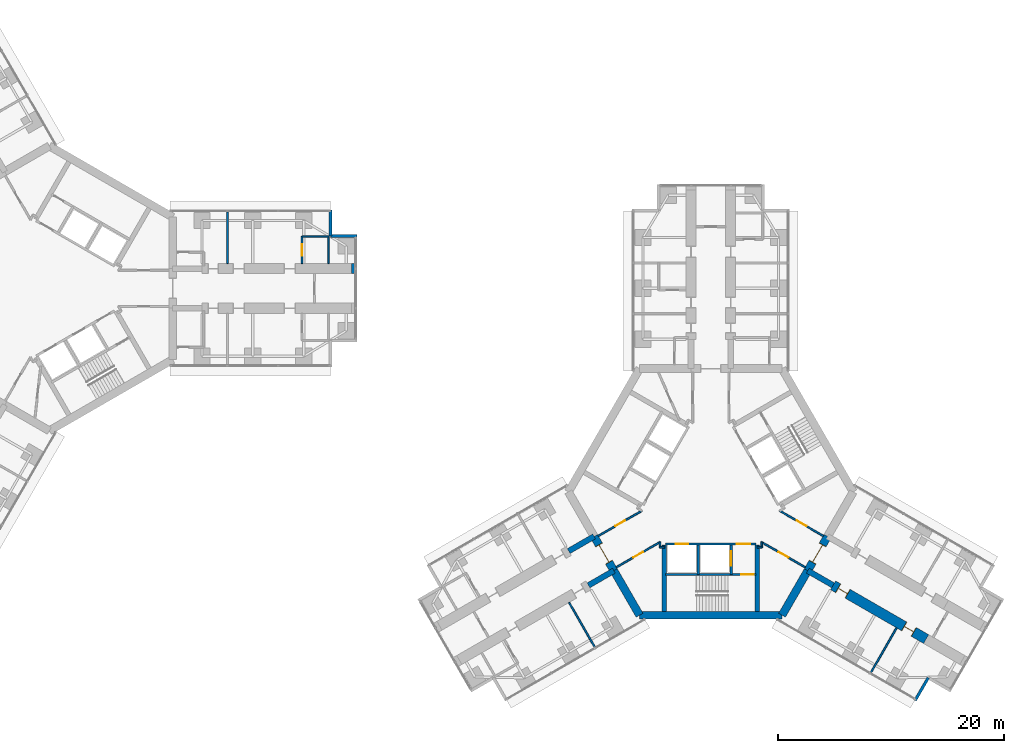
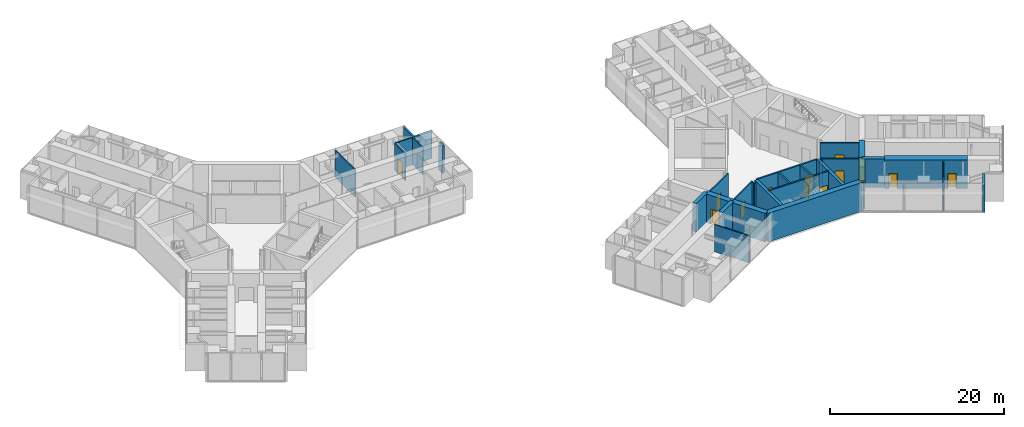
# One storey, part 20 of 24: 33 walls, 13 doors, 13 openings.
"""IFC4 building model written with IfcOpenShell, lengths in metres."""

import ifcopenshell
import ifcopenshell.guid

model = None  # the IFC model being written
_history = None  # IfcOwnerHistory: only IFC2X3 demands one
_inside = {}  # id of a spatial element -> (the spatial element, [elements in it])
_under = {}  # id of a project, library or spatial element -> (it, [spatial elements below it])
_declared = {}  # id of a project -> (the project, [libraries it declares])
_typed = {}  # id of a type object -> (the type object, [elements of that type])
_made_of = {}  # id of a material, layer set ... -> (it, [elements and type objects made of it])


def new_model(schema):
    """Start an empty IFC model of exactly this schema.

    Asked for "IFC4X3", IfcOpenShell would pick the latest addendum, in which some entities
    have other attributes; the version numbers below select the first issue.
    IFC2X3 requires an IfcOwnerHistory on every rooted entity: one is made here for all.
    """
    global model, _history
    if schema == "IFC4X3":
        model = ifcopenshell.file(schema_version=(4, 3, 0, 0))
    else:
        model = ifcopenshell.file(schema=schema)
    _inside.clear()
    _under.clear()
    _declared.clear()
    _typed.clear()
    _made_of.clear()
    _history = None
    if model.schema == "IFC2X3":
        org = make("IfcOrganization", Name="unknown")
        user = make(
            "IfcPersonAndOrganization",
            ThePerson=make("IfcPerson", FamilyName="unknown"),
            TheOrganization=org,
        )
        app = make(
            "IfcApplication",
            ApplicationDeveloper=org,
            Version="unknown",
            ApplicationFullName="unknown",
            ApplicationIdentifier="unknown",
        )
        _history = make(
            "IfcOwnerHistory",
            OwningUser=user,
            OwningApplication=app,
            ChangeAction="ADDED",
            CreationDate=0,
        )
    return model


def make(cls, **values):
    """One entity of the class cls with the attributes given. An attribute that is None is left unset."""
    return model.create_entity(
        cls, **{name: value for name, value in values.items() if value is not None}
    )


def rooted(cls, **values):
    """An entity with a GlobalId (a new one), such as an element, a storey or a relation."""
    return make(cls, GlobalId=ifcopenshell.guid.new(), OwnerHistory=_history, **values)


def si_unit(unit_type, name, prefix=None):
    """IfcSIUnit, for example si_unit("LENGTHUNIT", "METRE", prefix="MILLI")."""
    return make("IfcSIUnit", UnitType=unit_type, Prefix=prefix, Name=name)


def assignment(units):
    """IfcUnitAssignment: the units of a project."""
    return None if units is None else make("IfcUnitAssignment", Units=units)


def point(xyz):
    """IfcCartesianPoint."""
    return None if xyz is None else make("IfcCartesianPoint", Coordinates=xyz)


def direction(xyz):
    """IfcDirection."""
    return None if xyz is None else make("IfcDirection", DirectionRatios=xyz)


def frame(location, z_axis=None, x_axis=None):
    """IfcAxis2Placement3D, a coordinate frame: its origin and axes. An axis left out is left unset."""
    return make(
        "IfcAxis2Placement3D",
        Location=point(location),
        Axis=direction(z_axis),
        RefDirection=direction(x_axis),
    )


def frame_2d(location, x_axis=None):
    """IfcAxis2Placement2D, a coordinate frame in the plane: its origin and x axis."""
    return make(
        "IfcAxis2Placement2D", Location=point(location), RefDirection=direction(x_axis)
    )


def origin():
    """The frame at (0, 0, 0) with its axes left unset."""
    return frame((0.0, 0.0, 0.0))


def place(relative_to, where):
    """IfcLocalPlacement: puts the frame where relative to a parent placement (None: the world)."""
    return make(
        "IfcLocalPlacement", PlacementRelTo=relative_to, RelativePlacement=where
    )


def context(
    kind, dimensions, precision=None, world=None, true_north=None, identifier=None
):
    """IfcGeometricRepresentationContext, for example the 3D "Model" context."""
    return make(
        "IfcGeometricRepresentationContext",
        ContextIdentifier=identifier,
        ContextType=kind,
        CoordinateSpaceDimension=dimensions,
        Precision=precision,
        WorldCoordinateSystem=world,
        TrueNorth=true_north,
    )


def subcontext(parent, identifier, kind, view, scale=None):
    """IfcGeometricRepresentationSubContext, for example "Body" below "Model"."""
    return make(
        "IfcGeometricRepresentationSubContext",
        ContextIdentifier=identifier,
        ContextType=kind,
        ParentContext=parent,
        TargetScale=scale,
        TargetView=view,
    )


def project(units=None, contexts=None):
    """IfcProject with its units and contexts."""
    return rooted(
        "IfcProject",
        Name="project",
        RepresentationContexts=contexts,
        UnitsInContext=assignment(units),
    )


def spatial(cls, under=None, at=None, **own):
    """A site, building, storey or space (cls), placed at a placement, below another one or the project."""
    s = rooted(cls, ObjectPlacement=at, **own)
    if under is not None:
        _under.setdefault(under.id(), (under, []))[1].append(s)
    return s


def profile(cls, at=None, kind="AREA", **sizes):
    """A parametric profile (cls). Its sizes go by their IFC names, for example OverallWidth=200.0."""
    return make(cls, ProfileType=kind, Position=at, **sizes)


def rectangle(**sizes):
    """IfcRectangleProfileDef."""
    return profile("IfcRectangleProfileDef", **sizes)


def extrude(swept, where, along, depth):
    """IfcExtrudedAreaSolid: the profile swept, set in the frame where, extruded along a direction by depth."""
    return make(
        "IfcExtrudedAreaSolid",
        SweptArea=swept,
        Position=where,
        ExtrudedDirection=direction(along),
        Depth=depth,
    )


def shape(context_of_items, identifier, shape_type, items):
    """IfcShapeRepresentation: the items that make up one representation, for example the "Body"."""
    return make(
        "IfcShapeRepresentation",
        ContextOfItems=context_of_items,
        RepresentationIdentifier=identifier,
        RepresentationType=shape_type,
        Items=items,
    )


def material(Name=None, Category=None):
    """IfcMaterial."""
    return make("IfcMaterial", Name=Name, Category=Category)


def layer(
    of_material, thickness, ventilated=None, Name=None, Category=None, Priority=None
):
    """IfcMaterialLayer: one layer of a wall or slab, of a material (None: an air gap)."""
    return make(
        "IfcMaterialLayer",
        Material=of_material,
        LayerThickness=thickness,
        IsVentilated=ventilated,
        Name=Name,
        Category=Category,
        Priority=Priority,
    )


def layer_set(layers, Name=None):
    """IfcMaterialLayerSet."""
    return make("IfcMaterialLayerSet", MaterialLayers=layers, LayerSetName=Name)


def made_of(thing, what):
    """Note that an element or type object is made of a material, layer set ...; save() writes the relation."""
    if what is not None:
        _made_of.setdefault(what.id(), (what, []))[1].append(thing)
    return thing


def type_object(cls, material=None, **own):
    """A type object (cls), such as IfcWallType, which elements share."""
    return made_of(rooted(cls, **own), material)


def element(
    cls,
    number,
    at=None,
    inside=None,
    cuts=None,
    type_object=None,
    material=None,
    context=None,
    identifier="Body",
    shape_type=None,
    held_by="IfcProductDefinitionShape",
    body=None,
    shapes=None,
    **own,
):
    """One element of the class cls, such as IfcWall. Its Tag is "e" and its number.

    at: its placement. inside: the storey or other place that contains it. cuts: it is an
    opening in that element (IfcRelVoidsElement). A single representation is given by context,
    identifier, shape_type and body (its items); several are given by shapes. held_by: the class
    of the entity that holds the representations. save() writes the other relations.
    """
    e = rooted(cls, Tag="e%d" % number, ObjectPlacement=at, **own)
    if body is not None:
        shapes = [shape(context, identifier, shape_type, body)]
    if shapes is not None:
        e.Representation = make(held_by, Representations=shapes)
    if inside is not None:
        _inside.setdefault(inside.id(), (inside, []))[1].append(e)
    if cuts is not None:
        rooted(
            "IfcRelVoidsElement", RelatingBuildingElement=cuts, RelatedOpeningElement=e
        )
    if type_object is not None:
        _typed.setdefault(type_object.id(), (type_object, []))[1].append(e)
    return made_of(e, material)


def fill(opening, filler):
    """IfcRelFillsElement: the door or window that sits in an opening."""
    return rooted(
        "IfcRelFillsElement",
        RelatingOpeningElement=opening,
        RelatedBuildingElement=filler,
    )


def aggregate(whole, parts):
    """IfcRelAggregates: a whole, such as a stair, and the parts it consists of."""
    return rooted("IfcRelAggregates", RelatingObject=whole, RelatedObjects=parts)


def save(model, path):
    """Write the relations noted so far, then the file.

    IfcRelAggregates (storeys below a building ...), IfcRelContainedInSpatialStructure (elements
    in a storey), IfcRelDefinesByType, IfcRelAssociatesMaterial and IfcRelDeclares: one each for
    every whole, place, type object, material and project.
    """
    for whole, parts in _under.values():
        aggregate(whole, parts)
    for where, things in _inside.values():
        rooted(
            "IfcRelContainedInSpatialStructure",
            RelatedElements=things,
            RelatingStructure=where,
        )
    for kind, things in _typed.values():
        rooted("IfcRelDefinesByType", RelatedObjects=things, RelatingType=kind)
    for what, things in _made_of.values():
        rooted("IfcRelAssociatesMaterial", RelatedObjects=things, RelatingMaterial=what)
    for by, libraries in _declared.values():
        rooted("IfcRelDeclares", RelatingContext=by, RelatedDefinitions=libraries)
    model.write(path)


model = new_model("IFC4")

# Units and contexts
model_context = context("Model", 3, precision=1e-05, world=origin(), true_north=direction((0.0, 1.0)))
body_context = subcontext(model_context, "Body", "Model", "MODEL_VIEW")
ifc_project = project(units=[si_unit("LENGTHUNIT", "METRE"), si_unit("AREAUNIT", "SQUARE_METRE"), si_unit("VOLUMEUNIT", "CUBIC_METRE"), si_unit("PLANEANGLEUNIT", "RADIAN"), si_unit("MASSUNIT", "GRAM", prefix="KILO")], contexts=[model_context])

# Site, building, storey
site_placement = place(None, origin())
site = spatial("IfcSite", under=ifc_project, at=site_placement, CompositionType="ELEMENT")
building_placement = place(site_placement, origin())
building = spatial("IfcBuilding", under=site, at=building_placement, Name="Upepo Twin Towers", CompositionType="ELEMENT")
storey_placement = place(building_placement, frame((0.0, 0.0, 52.5)))
storey = spatial("IfcBuildingStorey", under=building, at=storey_placement, Name="L12", CompositionType="ELEMENT", Elevation=52.5)

# Walls
ifc_material_1 = material(Name="Dense concrete blockwork", Category="masonry")
ifc_layer_1 = layer(ifc_material_1, 0.89990234375)
ifc_layer_set_1 = layer_set([ifc_layer_1], Name="Buttress closer 900, blockwork with fire-stopping to the curtain wall")
wall_type_1 = type_object("IfcWallType", Name="Buttress closer 900, blockwork with fire-stopping to the curtain wall", PredefinedType="PARTITIONING", material=ifc_layer_set_1)
wall_1_placement = place(storey_placement, frame((26.699951171875, 1.75, 0.0), z_axis=(0.0, 0.0, 1.0), x_axis=(1.0, 0.0, 0.0)))
element("IfcWall", 1, at=wall_1_placement, inside=storey, type_object=wall_type_1, Name="T1 L12 wing A buttress closer L", PredefinedType="PARTITIONING", context=body_context, shape_type="SweptSolid", body=[
    extrude(rectangle(XDim=0.31005859375, YDim=0.89990234375, at=frame_2d((0.155029296875, 0.0))), origin(), (0.0, 0.0, 1.0), 3.800048828125),
])
ifc_material_2 = material(Name="Concrete C60/75", Category="concrete")
ifc_layer_2 = layer(ifc_material_2, 0.5)
ifc_layer_set_2 = layer_set([ifc_layer_2], Name="Concrete C60/75")
wall_type_2 = type_object("IfcWallType", Name="Buttress wall 500 RC", PredefinedType="SHEAR", material=ifc_layer_set_2)
for number, where, z_axis, x_axis, name in (
    (2, (49.92822265625, -24.9697265625, 0.0), (0.0, 0.0, 1.0), (-0.866031863473, -0.499988811324, 0.0), "T2 wing B buttress wall L"),
    (3, (48.17822265625, -21.938720703125, 0.0), (0.0, 0.0, 1.0), (-0.866072649678, -0.499918158782, 0.0), "T2 wing B buttress wall R"),
    (4, (67.07177734375, -24.9697265625, 0.0), (0.0, 0.0, 1.0), (0.866031863473, -0.499988811324, 0.0), "T2 wing C buttress wall R"),
):
    element("IfcWall", number, at=place(storey_placement, frame(where, z_axis=z_axis, x_axis=x_axis)), inside=storey, type_object=wall_type_2, Name=name, PredefinedType="SHEAR", context=body_context, shape_type="SweptSolid", body=[
        extrude(rectangle(XDim=2.591796875, YDim=0.5, at=frame_2d((1.2958984375, 0.0))), origin(), (0.0, 0.0, 1.0), 4.0),
    ])

# Wall, openings, doors
ifc_material_3 = material(Name="Concrete C60/75", Category="concrete")
ifc_layer_3 = layer(ifc_material_3, 0.89990234375)
ifc_layer_set_3 = layer_set([ifc_layer_3], Name="Concrete C60/75")
wall_type_3 = type_object("IfcWallType", Name="Buttress wall 900 RC", PredefinedType="SHEAR", material=ifc_layer_set_3)
wall_2_placement = place(storey_placement, frame((69.31640625, -26.265625, 0.0), z_axis=(0.0, 0.0, 1.0), x_axis=(0.86602681393, -0.499997557548, 0.0)))
wall_2 = element("IfcWall", 5, at=wall_2_placement, inside=storey, type_object=wall_type_3, Name="T2 wing C buttress wall R part 2", PredefinedType="SHEAR", context=body_context, shape_type="SweptSolid", body=[
    extrude(rectangle(XDim=9.5, YDim=0.89990234375, at=frame_2d((4.75, 0.0))), origin(), (0.0, 0.0, 1.0), 4.0),
])
opening_1_placement = place(wall_2_placement, frame((0.5, 0.0, 0.0)))
opening_1 = element("IfcOpeningElement", 6, at=opening_1_placement, cuts=wall_2, Name="Opening D1", PredefinedType="OPENING", context=body_context, shape_type="SweptSolid", body=[
    extrude(rectangle(XDim=1.0, YDim=2.10009765625, at=frame_2d((0.5, 1.050048828125))), frame((0.0, 0.4599609375, 0.0), z_axis=(0.0, -1.0, 0.0), x_axis=(1.0, 0.0, 0.0)), (0.0, 0.0, 1.0), 0.919921875),
])
opening_2_placement = place(wall_2_placement, frame((7.25, 0.0, 0.0)))
opening_2 = element("IfcOpeningElement", 7, at=opening_2_placement, cuts=wall_2, Name="Opening D1", PredefinedType="OPENING", context=body_context, shape_type="SweptSolid", body=[
    extrude(rectangle(XDim=1.0, YDim=2.10009765625, at=frame_2d((0.5, 1.050048828125))), frame((0.0, 0.4599609375, 0.0), z_axis=(0.0, -1.0, 0.0), x_axis=(1.0, 0.0, 0.0)), (0.0, 0.0, 1.0), 0.919921875),
])
ifc_material_4 = material(Name="Timber doorset", Category="wood")
door_type_1 = type_object("IfcDoorType", Name="Room door 1000 FD30", OperationType="SINGLE_SWING_LEFT", PredefinedType="DOOR", material=ifc_material_4)
door_1_placement = place(opening_1_placement, origin())
door_1 = element("IfcDoor", 8, at=door_1_placement, inside=storey, type_object=door_type_1, Name="T2 L12 classroom door", OperationType="SINGLE_SWING_LEFT", OverallHeight=2.10009765625, OverallWidth=1.0, PredefinedType="DOOR", context=body_context, shape_type="SweptSolid", body=[
    extrude(rectangle(XDim=0.92, YDim=2.06009765625, at=frame_2d((0.5, 1.030029296875))), frame((0.0, 0.02490234375, 0.0), z_axis=(0.0, -1.0, 0.0), x_axis=(1.0, 0.0, 0.0)), (0.0, 0.0, 1.0), 0.050048828125),
    extrude(rectangle(XDim=0.04, YDim=2.10009765625, at=frame_2d((0.02001953125, 1.050048828125))), frame((0.0, 0.44970703125, 0.0), z_axis=(0.0, -1.0, 0.0), x_axis=(1.0, 0.0, 0.0)), (0.0, 0.0, 1.0), 0.8994140625),
    extrude(rectangle(XDim=0.04, YDim=2.10009765625, at=frame_2d((0.97998046875, 1.050048828125))), frame((0.0, 0.44970703125, 0.0), z_axis=(0.0, -1.0, 0.0), x_axis=(1.0, 0.0, 0.0)), (0.0, 0.0, 1.0), 0.8994140625),
    extrude(rectangle(XDim=0.92, YDim=0.04, at=frame_2d((0.5, 2.080078125))), frame((0.0, 0.44970703125, 0.0), z_axis=(0.0, -1.0, 0.0), x_axis=(1.0, 0.0, 0.0)), (0.0, 0.0, 1.0), 0.8994140625),
])
fill(opening_1, door_1)
door_2_placement = place(opening_2_placement, origin())
door_2 = element("IfcDoor", 9, at=door_2_placement, inside=storey, type_object=door_type_1, Name="T2 L12 tutorial room door", OperationType="SINGLE_SWING_RIGHT", OverallHeight=2.10009765625, OverallWidth=1.0, PredefinedType="DOOR", context=body_context, shape_type="SweptSolid", body=[
    extrude(rectangle(XDim=0.92, YDim=2.06009765625, at=frame_2d((0.5, 1.030029296875))), frame((0.0, 0.02490234375, 0.0), z_axis=(0.0, -1.0, 0.0), x_axis=(1.0, 0.0, 0.0)), (0.0, 0.0, 1.0), 0.050048828125),
    extrude(rectangle(XDim=0.04, YDim=2.10009765625, at=frame_2d((0.02001953125, 1.050048828125))), frame((0.0, 0.44970703125, 0.0), z_axis=(0.0, -1.0, 0.0), x_axis=(1.0, 0.0, 0.0)), (0.0, 0.0, 1.0), 0.8994140625),
    extrude(rectangle(XDim=0.04, YDim=2.10009765625, at=frame_2d((0.97998046875, 1.050048828125))), frame((0.0, 0.44970703125, 0.0), z_axis=(0.0, -1.0, 0.0), x_axis=(1.0, 0.0, 0.0)), (0.0, 0.0, 1.0), 0.8994140625),
    extrude(rectangle(XDim=0.92, YDim=0.04, at=frame_2d((0.5, 2.080078125))), frame((0.0, 0.44970703125, 0.0), z_axis=(0.0, -1.0, 0.0), x_axis=(1.0, 0.0, 0.0)), (0.0, 0.0, 1.0), 0.8994140625),
])
fill(opening_2, door_2)

# Wall, opening, door
ifc_material_5 = material(Name="Concrete C60/75", Category="concrete")
ifc_layer_4 = layer(ifc_material_5, 0.699951171875)
ifc_layer_set_4 = layer_set([ifc_layer_4], Name="Concrete C60/75")
wall_type_4 = type_object("IfcWallType", Name="Core wall 700 RC", PredefinedType="SHEAR", material=ifc_layer_set_4)
wall_3_placement = place(storey_placement, frame((48.17822265625, -21.938720703125, 0.0), z_axis=(0.0, 0.0, 1.0), x_axis=(0.500010275428, -0.866019471182, 0.0)))
wall_3 = element("IfcWall", 10, at=wall_3_placement, inside=storey, type_object=wall_type_4, Name="T2 core wall 120", PredefinedType="SHEAR", context=body_context, shape_type="SweptSolid", body=[
    extrude(rectangle(XDim=3.5, YDim=0.699951171875, at=frame_2d((1.75, 0.0))), origin(), (0.0, 0.0, 1.0), 4.0),
])
opening_3_placement = place(wall_3_placement, frame((0.85009765625, 0.0, 0.0)))
opening_3 = element("IfcOpeningElement", 11, at=opening_3_placement, cuts=wall_3, Name="Opening D2", PredefinedType="OPENING", context=body_context, shape_type="SweptSolid", body=[
    extrude(rectangle(XDim=1.800048828125, YDim=2.10009765625, at=frame_2d((0.89990234375, 1.050048828125))), frame((0.0, 0.35986328125, 0.0), z_axis=(0.0, -1.0, 0.0), x_axis=(1.0, 0.0, 0.0)), (0.0, 0.0, 1.0), 0.719970703125),
])
ifc_material_6 = material(Name="Timber doorset", Category="wood")
door_type_2 = type_object("IfcDoorType", Name="Corridor double door 1800 FD60", OperationType="DOUBLE_DOOR_DOUBLE_SWING", PredefinedType="DOOR", material=ifc_material_6)
door_3_placement = place(opening_3_placement, origin())
door_3 = element("IfcDoor", 12, at=door_3_placement, inside=storey, type_object=door_type_2, Name="T2 L12 wing B corridor door", OperationType="DOUBLE_DOOR_DOUBLE_SWING", OverallHeight=2.10009765625, OverallWidth=1.800048828125, PredefinedType="DOOR", context=body_context, shape_type="SweptSolid", body=[
    extrude(rectangle(XDim=1.720048828125, YDim=2.06009765625, at=frame_2d((0.89990234375, 1.030029296875))), frame((0.0, 0.02490234375, 0.0), z_axis=(0.0, -1.0, 0.0), x_axis=(1.0, 0.0, 0.0)), (0.0, 0.0, 1.0), 0.050048828125),
    extrude(rectangle(XDim=0.04, YDim=2.10009765625, at=frame_2d((0.02001953125, 1.050048828125))), frame((0.0, 0.349609375, 0.0), z_axis=(0.0, -1.0, 0.0), x_axis=(1.0, 0.0, 0.0)), (0.0, 0.0, 1.0), 0.699462890625),
    extrude(rectangle(XDim=0.04, YDim=2.10009765625, at=frame_2d((1.780029296875, 1.050048828125))), frame((0.0, 0.349609375, 0.0), z_axis=(0.0, -1.0, 0.0), x_axis=(1.0, 0.0, 0.0)), (0.0, 0.0, 1.0), 0.699462890625),
    extrude(rectangle(XDim=1.720048828125, YDim=0.04, at=frame_2d((0.89990234375, 2.080078125))), frame((0.0, 0.349609375, 0.0), z_axis=(0.0, -1.0, 0.0), x_axis=(1.0, 0.0, 0.0)), (0.0, 0.0, 1.0), 0.699462890625),
])
fill(opening_3, door_3)

# Walls
wall_4_placement = place(storey_placement, frame((49.92822265625, -24.9697265625, 0.0), z_axis=(0.0, 0.0, 1.0), x_axis=(0.499984222037, -0.866034513004, 0.0)))
element("IfcWall", 13, at=wall_4_placement, inside=storey, type_object=wall_type_4, Name="T2 core wall 120 L", PredefinedType="SHEAR", context=body_context, shape_type="SweptSolid", body=[
    extrude(rectangle(XDim=4.548095703125, YDim=0.699951171875, at=frame_2d((2.27392578125, 0.0))), origin(), (0.0, 0.0, 1.0), 4.0),
])
wall_5_placement = place(storey_placement, frame((52.2021484375, -28.908447265625, 0.0), z_axis=(0.0, 0.0, 1.0), x_axis=(1.0, 0.0, 0.0)))
element("IfcWall", 14, at=wall_5_placement, inside=storey, type_object=wall_type_4, Name="T2 core wall 180", PredefinedType="SHEAR", context=body_context, shape_type="SweptSolid", body=[
    extrude(rectangle(XDim=12.595703125, YDim=0.699951171875, at=frame_2d((6.2978515625, 0.0))), origin(), (0.0, 0.0, 1.0), 4.0),
])
wall_6_placement = place(storey_placement, frame((64.7978515625, -28.908447265625, 0.0), z_axis=(0.0, 0.0, 1.0), x_axis=(0.499984222037, 0.866034513004, 0.0)))
element("IfcWall", 15, at=wall_6_placement, inside=storey, type_object=wall_type_4, Name="T2 core wall 240 R", PredefinedType="SHEAR", context=body_context, shape_type="SweptSolid", body=[
    extrude(rectangle(XDim=4.548095703125, YDim=0.699951171875, at=frame_2d((2.27392578125, 0.0))), origin(), (0.0, 0.0, 1.0), 4.0),
])

# Wall, opening, door
wall_7_placement = place(storey_placement, frame((67.07177734375, -24.9697265625, 0.0), z_axis=(0.0, 0.0, 1.0), x_axis=(0.500010275428, 0.866019471182, 0.0)))
wall_7 = element("IfcWall", 16, at=wall_7_placement, inside=storey, type_object=wall_type_4, Name="T2 core wall 240", PredefinedType="SHEAR", context=body_context, shape_type="SweptSolid", body=[
    extrude(rectangle(XDim=3.5, YDim=0.699951171875, at=frame_2d((1.75, 0.0))), origin(), (0.0, 0.0, 1.0), 4.0),
])
opening_4_placement = place(wall_7_placement, frame((0.85009765625, 0.0, 0.0)))
opening_4 = element("IfcOpeningElement", 17, at=opening_4_placement, cuts=wall_7, Name="Opening D2", PredefinedType="OPENING", context=body_context, shape_type="SweptSolid", body=[
    extrude(rectangle(XDim=1.800048828125, YDim=2.10009765625, at=frame_2d((0.89990234375, 1.050048828125))), frame((0.0, 0.35986328125, 0.0), z_axis=(0.0, -1.0, 0.0), x_axis=(1.0, 0.0, 0.0)), (0.0, 0.0, 1.0), 0.719970703125),
])
door_4_placement = place(opening_4_placement, origin())
door_4 = element("IfcDoor", 18, at=door_4_placement, inside=storey, type_object=door_type_2, Name="T2 L12 wing C corridor door", OperationType="DOUBLE_DOOR_DOUBLE_SWING", OverallHeight=2.10009765625, OverallWidth=1.800048828125, PredefinedType="DOOR", context=body_context, shape_type="SweptSolid", body=[
    extrude(rectangle(XDim=1.720048828125, YDim=2.06009765625, at=frame_2d((0.89990234375, 1.030029296875))), frame((0.0, 0.02490234375, 0.0), z_axis=(0.0, -1.0, 0.0), x_axis=(1.0, 0.0, 0.0)), (0.0, 0.0, 1.0), 0.050048828125),
    extrude(rectangle(XDim=0.04, YDim=2.10009765625, at=frame_2d((0.02001953125, 1.050048828125))), frame((0.0, 0.349609375, 0.0), z_axis=(0.0, -1.0, 0.0), x_axis=(1.0, 0.0, 0.0)), (0.0, 0.0, 1.0), 0.699462890625),
    extrude(rectangle(XDim=0.04, YDim=2.10009765625, at=frame_2d((1.780029296875, 1.050048828125))), frame((0.0, 0.349609375, 0.0), z_axis=(0.0, -1.0, 0.0), x_axis=(1.0, 0.0, 0.0)), (0.0, 0.0, 1.0), 0.699462890625),
    extrude(rectangle(XDim=1.720048828125, YDim=0.04, at=frame_2d((0.89990234375, 2.080078125))), frame((0.0, 0.349609375, 0.0), z_axis=(0.0, -1.0, 0.0), x_axis=(1.0, 0.0, 0.0)), (0.0, 0.0, 1.0), 0.699462890625),
])
fill(opening_4, door_4)

# Walls
ifc_material_7 = material(Name="Blockwork with anodised aluminium cladding", Category="masonry")
ifc_layer_5 = layer(ifc_material_7, 0.25)
ifc_layer_set_5 = layer_set([ifc_layer_5], Name="Notch cladding wall 250, pale metal")
wall_type_5 = type_object("IfcWallType", Name="Notch cladding wall 250, pale metal", PredefinedType="STANDARD", material=ifc_layer_set_5)
for number, where, z_axis, x_axis, name in (
    (19, (24.875, 6.949951171875, 0.0), (0.0, 0.0, 1.0), (0.0, -1.0, 0.0), "T1 L12 wing A notch wall L1"),
    (20, (24.875, 4.625, 0.0), (0.0, 0.0, 1.0), (1.0, 0.0, 0.0), "T1 L12 wing A notch wall L2"),
    (21, (76.5673828125, -36.456298828125, 0.0), (0.0, 0.0, 1.0), (0.500046648681, 0.865998469481, 0.0), "T2 L12 wing C notch wall R1"),
):
    element("IfcWall", number, at=place(storey_placement, frame(where, z_axis=z_axis, x_axis=x_axis)), inside=storey, type_object=wall_type_5, Name=name, PredefinedType="STANDARD", context=body_context, shape_type="SweptSolid", body=[
        extrude(rectangle(XDim=2.324951171875, YDim=0.25, at=frame_2d((1.16259765625, 0.0))), origin(), (0.0, 0.0, 1.0), 3.800048828125),
    ])

# Wall, openings, doors
ifc_material_8 = material(Name="Concrete C40/50", Category="concrete")
ifc_layer_6 = layer(ifc_material_8, 0.199951171875)
ifc_layer_set_6 = layer_set([ifc_layer_6], Name="Concrete C40/50")
wall_type_6 = type_object("IfcWallType", Name="Shaft wall 200 RC", PredefinedType="SHEAR", material=ifc_layer_set_6)
wall_8_placement = place(storey_placement, frame((54.5, -22.60009765625, 0.0), z_axis=(0.0, 0.0, 1.0), x_axis=(1.0, 0.0, 0.0)))
wall_8 = element("IfcWall", 22, at=wall_8_placement, inside=storey, type_object=wall_type_6, Name="T2 core W180 front wall", PredefinedType="SHEAR", context=body_context, shape_type="SweptSolid", body=[
    extrude(rectangle(XDim=8.0, YDim=0.199951171875, at=frame_2d((4.0, 0.0))), origin(), (0.0, 0.0, 1.0), 4.0),
])
opening_5_placement = place(wall_8_placement, frame((6.300048828125, 0.0, 0.0)))
opening_5 = element("IfcOpeningElement", 23, at=opening_5_placement, cuts=wall_8, Name="Opening D4", PredefinedType="OPENING", context=body_context, shape_type="SweptSolid", body=[
    extrude(rectangle(XDim=1.199951171875, YDim=2.10009765625, at=frame_2d((0.60009765625, 1.050048828125))), frame((0.0, 0.10986328125, 0.0), z_axis=(0.0, -1.0, 0.0), x_axis=(1.0, 0.0, 0.0)), (0.0, 0.0, 1.0), 0.219970703125),
])
opening_6_placement = place(wall_8_placement, frame((0.89990234375, 0.0, 0.0)))
opening_6 = element("IfcOpeningElement", 24, at=opening_6_placement, cuts=wall_8, Name="Opening LD1", PredefinedType="OPENING", context=body_context, shape_type="SweptSolid", body=[
    extrude(rectangle(XDim=1.10009765625, YDim=2.199951171875, at=frame_2d((0.550048828125, 1.10009765625))), frame((0.0, 0.10986328125, 0.0), z_axis=(0.0, -1.0, 0.0), x_axis=(1.0, 0.0, 0.0)), (0.0, 0.0, 1.0), 0.219970703125),
])
ifc_material_9 = material(Name="Steel doorset", Category="steel")
door_type_3 = type_object("IfcDoorType", Name="Lift landing door 1100", OperationType="DOUBLE_DOOR_SLIDING", PredefinedType="DOOR", material=ifc_material_9)
door_5_placement = place(opening_6_placement, origin())
door_5 = element("IfcDoor", 25, at=door_5_placement, inside=storey, type_object=door_type_3, Name="T2 L12 lift SV1 landing door", OperationType="DOUBLE_DOOR_SLIDING", OverallHeight=2.199951171875, OverallWidth=1.10009765625, PredefinedType="DOOR", context=body_context, shape_type="SweptSolid", body=[
    extrude(rectangle(XDim=1.10009765625, YDim=2.199951171875, at=frame_2d((0.550048828125, 1.10009765625))), frame((0.0, 0.02490234375, 0.0), z_axis=(0.0, -1.0, 0.0), x_axis=(1.0, 0.0, 0.0)), (0.0, 0.0, 1.0), 0.050048828125),
])
fill(opening_6, door_5)
ifc_material_10 = material(Name="Timber doorset", Category="wood")
door_type_4 = type_object("IfcDoorType", Name="Lobby door 1200 FD60", OperationType="SINGLE_SWING_LEFT", PredefinedType="DOOR", material=ifc_material_10)
door_6_placement = place(opening_5_placement, origin())
door_6 = element("IfcDoor", 26, at=door_6_placement, inside=storey, type_object=door_type_4, Name="T2 L12 W180 lobby door", OperationType="SINGLE_SWING_RIGHT", OverallHeight=2.10009765625, OverallWidth=1.199951171875, PredefinedType="DOOR", context=body_context, shape_type="SweptSolid", body=[
    extrude(rectangle(XDim=1.199951171875, YDim=2.10009765625, at=frame_2d((0.60009765625, 1.050048828125))), frame((0.0, 0.02490234375, 0.0), z_axis=(0.0, -1.0, 0.0), x_axis=(1.0, 0.0, 0.0)), (0.0, 0.0, 1.0), 0.050048828125),
])
fill(opening_5, door_6)

# Wall
wall_9_placement = place(storey_placement, frame((57.39990234375, -22.699951171875, 0.0), z_axis=(0.0, 0.0, 1.0), x_axis=(0.0, -1.0, 0.0)))
element("IfcWall", 27, at=wall_9_placement, inside=storey, type_object=wall_type_6, Name="T2 core W180 shaft divider", PredefinedType="SHEAR", context=body_context, shape_type="SweptSolid", body=[
    extrude(rectangle(XDim=2.60009765625, YDim=0.199951171875, at=frame_2d((1.300048828125, 0.0))), origin(), (0.0, 0.0, 1.0), 4.0),
])

# Wall, opening, door
wall_10_placement = place(storey_placement, frame((60.300048828125, -22.699951171875, 0.0), z_axis=(0.0, 0.0, 1.0), x_axis=(0.0, -1.0, 0.0)))
wall_10 = element("IfcWall", 28, at=wall_10_placement, inside=storey, type_object=wall_type_6, Name="T2 core W180 lobby wall", PredefinedType="SHEAR", context=body_context, shape_type="SweptSolid", body=[
    extrude(rectangle(XDim=2.60009765625, YDim=0.199951171875, at=frame_2d((1.300048828125, 0.0))), origin(), (0.0, 0.0, 1.0), 4.0),
])
opening_7_placement = place(wall_10_placement, frame((0.550048828125, 0.0, 0.0)))
opening_7 = element("IfcOpeningElement", 29, at=opening_7_placement, cuts=wall_10, Name="Opening LD2", PredefinedType="OPENING", context=body_context, shape_type="SweptSolid", body=[
    extrude(rectangle(XDim=1.300048828125, YDim=2.199951171875, at=frame_2d((0.64990234375, 1.10009765625))), frame((0.0, 0.10986328125, 0.0), z_axis=(0.0, -1.0, 0.0), x_axis=(1.0, 0.0, 0.0)), (0.0, 0.0, 1.0), 0.219970703125),
])
ifc_material_11 = material(Name="Steel doorset", Category="steel")
door_type_5 = type_object("IfcDoorType", Name="Firefighting lift landing door 1300", OperationType="DOUBLE_DOOR_SLIDING", PredefinedType="DOOR", material=ifc_material_11)
door_7_placement = place(opening_7_placement, origin())
door_7 = element("IfcDoor", 30, at=door_7_placement, inside=storey, type_object=door_type_5, Name="T2 L12 firefighting lift landing door", OperationType="DOUBLE_DOOR_SLIDING", OverallHeight=2.199951171875, OverallWidth=1.300048828125, PredefinedType="DOOR", context=body_context, shape_type="SweptSolid", body=[
    extrude(rectangle(XDim=1.300048828125, YDim=2.199951171875, at=frame_2d((0.64990234375, 1.10009765625))), frame((0.0, 0.02490234375, 0.0), z_axis=(0.0, -1.0, 0.0), x_axis=(1.0, 0.0, 0.0)), (0.0, 0.0, 1.0), 0.050048828125),
])
fill(opening_7, door_7)

wall_11_placement = place(storey_placement, frame((54.5, -25.300048828125, 0.0), z_axis=(0.0, 0.0, 1.0), x_axis=(1.0, 0.0, 0.0)))
wall_11 = element("IfcWall", 31, at=wall_11_placement, inside=storey, type_object=wall_type_6, Name="T2 core W180 stair wall", PredefinedType="SHEAR", context=body_context, shape_type="SweptSolid", body=[
    extrude(rectangle(XDim=8.0, YDim=0.199951171875, at=frame_2d((4.0, 0.0))), origin(), (0.0, 0.0, 1.0), 4.0),
])
opening_8_placement = place(wall_11_placement, frame((6.699951171875, 0.0, 0.0)))
opening_8 = element("IfcOpeningElement", 32, at=opening_8_placement, cuts=wall_11, Name="Opening D3", PredefinedType="OPENING", context=body_context, shape_type="SweptSolid", body=[
    extrude(rectangle(XDim=1.10009765625, YDim=2.10009765625, at=frame_2d((0.550048828125, 1.050048828125))), frame((0.0, 0.10986328125, 0.0), z_axis=(0.0, -1.0, 0.0), x_axis=(1.0, 0.0, 0.0)), (0.0, 0.0, 1.0), 0.219970703125),
])
ifc_material_12 = material(Name="Timber doorset", Category="wood")
door_type_6 = type_object("IfcDoorType", Name="Stair door 1100 FD60", OperationType="SINGLE_SWING_LEFT", PredefinedType="DOOR", material=ifc_material_12)
door_8_placement = place(opening_8_placement, origin())
door_8 = element("IfcDoor", 33, at=door_8_placement, inside=storey, type_object=door_type_6, Name="T2 L12 stair door", OperationType="SINGLE_SWING_RIGHT", OverallHeight=2.10009765625, OverallWidth=1.10009765625, PredefinedType="DOOR", context=body_context, shape_type="SweptSolid", body=[
    extrude(rectangle(XDim=1.10009765625, YDim=2.10009765625, at=frame_2d((0.550048828125, 1.050048828125))), frame((0.0, 0.02490234375, 0.0), z_axis=(0.0, -1.0, 0.0), x_axis=(1.0, 0.0, 0.0)), (0.0, 0.0, 1.0), 0.050048828125),
])
fill(opening_8, door_8)

# Walls
ifc_material_13 = material(Name="Concrete C40/50", Category="concrete")
ifc_layer_7 = layer(ifc_material_13, 0.39990234375)
ifc_layer_set_7 = layer_set([ifc_layer_7], Name="Concrete C40/50")
wall_type_7 = type_object("IfcWallType", Name="Shaft wall 400 RC", PredefinedType="SHEAR", material=ifc_layer_set_7)
for number, where, z_axis, x_axis, name in (
    (34, (62.60009765625, -22.699951171875, 0.0), (0.0, 0.0, 1.0), (0.0, -1.0, 0.0), "T2 core W180 side wall N"),
    (35, (54.39990234375, -22.699951171875, 0.0), (0.0, 0.0, 1.0), (0.0, -1.0, 0.0), "T2 core W180 side wall S"),
):
    element("IfcWall", number, at=place(storey_placement, frame(where, z_axis=z_axis, x_axis=x_axis)), inside=storey, type_object=wall_type_7, Name=name, PredefinedType="SHEAR", context=body_context, shape_type="SweptSolid", body=[
        extrude(rectangle(XDim=5.8583984375, YDim=0.39990234375, at=frame_2d((2.92919921875, 0.0))), origin(), (0.0, 0.0, 1.0), 4.0),
    ])
ifc_material_14 = material(Name="Gypsum board on steel studs", Category="steel")
ifc_layer_8 = layer(ifc_material_14, 0.14990234375)
ifc_layer_set_8 = layer_set([ifc_layer_8], Name="Teaching partition 150 acoustic")
wall_type_8 = type_object("IfcWallType", Name="Teaching partition 150 acoustic", PredefinedType="PARTITIONING", material=ifc_layer_set_8)
wall_12_placement = place(storey_placement, frame((15.75, 2.199951171875, 0.0), z_axis=(0.0, 0.0, 1.0), x_axis=(0.0, 1.0, 0.0)))
element("IfcWall", 36, at=wall_12_placement, inside=storey, type_object=wall_type_8, Name="T1 partition AL at 15.75", PredefinedType="PARTITIONING", context=body_context, shape_type="SweptSolid", body=[
    extrude(rectangle(XDim=4.550048828125, YDim=0.14990234375, at=frame_2d((2.27490234375, 0.0))), origin(), (0.0, 0.0, 1.0), 3.800048828125),
])
wall_13_placement = place(storey_placement, frame((22.35009765625, 4.60009765625, 0.0), z_axis=(0.0, 0.0, 1.0), x_axis=(1.0, 0.0, 0.0)))
element("IfcWall", 37, at=wall_13_placement, inside=storey, type_object=wall_type_8, Name="T1 inner room partition AL at 22.35", PredefinedType="PARTITIONING", context=body_context, shape_type="SweptSolid", body=[
    extrude(rectangle(XDim=2.39990234375, YDim=0.14990234375, at=frame_2d((1.199951171875, 0.0))), origin(), (0.0, 0.0, 1.0), 3.800048828125),
])

# Wall, opening, door
wall_14_placement = place(storey_placement, frame((22.35009765625, 2.199951171875, 0.0), z_axis=(0.0, 0.0, 1.0), x_axis=(0.0, 1.0, 0.0)))
wall_14 = element("IfcWall", 38, at=wall_14_placement, inside=storey, type_object=wall_type_8, Name="T1 inner room partition AL end at 22.35", PredefinedType="PARTITIONING", context=body_context, shape_type="SweptSolid", body=[
    extrude(rectangle(XDim=2.400146484375, YDim=0.14990234375, at=frame_2d((1.2001953125, 0.0))), origin(), (0.0, 0.0, 1.0), 3.800048828125),
])
opening_9_placement = place(wall_14_placement, frame((0.699951171875, 0.0, 0.0)))
opening_9 = element("IfcOpeningElement", 39, at=opening_9_placement, cuts=wall_14, Name="Opening D1", PredefinedType="OPENING", context=body_context, shape_type="SweptSolid", body=[
    extrude(rectangle(XDim=1.0, YDim=2.10009765625, at=frame_2d((0.5, 1.050048828125))), frame((0.0, 0.0849609375, 0.0), z_axis=(0.0, -1.0, 0.0), x_axis=(1.0, 0.0, 0.0)), (0.0, 0.0, 1.0), 0.169921875),
])
door_9_placement = place(opening_9_placement, origin())
door_9 = element("IfcDoor", 40, at=door_9_placement, inside=storey, type_object=door_type_1, Name="T1 L12 inner room door", OperationType="SINGLE_SWING_LEFT", OverallHeight=2.10009765625, OverallWidth=1.0, PredefinedType="DOOR", context=body_context, shape_type="SweptSolid", body=[
    extrude(rectangle(XDim=1.0, YDim=2.10009765625, at=frame_2d((0.5, 1.050048828125))), frame((0.0, 0.02490234375, 0.0), z_axis=(0.0, -1.0, 0.0), x_axis=(1.0, 0.0, 0.0)), (0.0, 0.0, 1.0), 0.050048828125),
])
fill(opening_9, door_9)

# Walls
wall_15_placement = place(storey_placement, frame((24.675048828125, 2.199951171875, 0.0), z_axis=(0.0, 0.0, 1.0), x_axis=(0.0, 1.0, 0.0)))
element("IfcWall", 41, at=wall_15_placement, inside=storey, type_object=wall_type_8, Name="T1 inner room partition AL end at 24.75", PredefinedType="PARTITIONING", context=body_context, shape_type="SweptSolid", body=[
    extrude(rectangle(XDim=2.400146484375, YDim=0.14990234375, at=frame_2d((1.2001953125, 0.0))), origin(), (0.0, 0.0, 1.0), 3.800048828125),
])
for number, where, z_axis, x_axis, name in (
    (42, (45.960205078125, -27.7802734375, 0.0), (0.0, 0.0, 1.0), (0.499982560684, -0.866035472144, 0.0), "T2 partition BL at 15.75"),
    (43, (74.93701171875, -30.0302734375, 0.0), (0.0, 0.0, 1.0), (-0.499982560684, -0.866035472144, 0.0), "T2 partition CR at 20.25"),
):
    element("IfcWall", number, at=place(storey_placement, frame(where, z_axis=z_axis, x_axis=x_axis)), inside=storey, type_object=wall_type_8, Name=name, PredefinedType="PARTITIONING", context=body_context, shape_type="SweptSolid", body=[
        extrude(rectangle(XDim=4.550048828125, YDim=0.14990234375, at=frame_2d((2.27490234375, 0.0))), origin(), (0.0, 0.0, 1.0), 3.800048828125),
    ])
wall_16_placement = place(storey_placement, frame((54.0, -22.919921875, 0.0), z_axis=(0.0, 0.0, 1.0), x_axis=(0.0, 1.0, 0.0)))
element("IfcWall", 44, at=wall_16_placement, inside=storey, type_object=wall_type_8, Name="T2 core room partition 1", PredefinedType="PARTITIONING", context=body_context, shape_type="SweptSolid", body=[
    extrude(rectangle(XDim=0.494384765625, YDim=0.14990234375, at=frame_2d((0.2470703125, 0.0))), origin(), (0.0, 0.0, 1.0), 3.800048828125),
])

# Wall, opening, door
wall_17_placement = place(storey_placement, frame((54.017333984375, -22.435546875, 0.0), z_axis=(0.0, 0.0, 1.0), x_axis=(-0.866015446554, -0.500017246033, 0.0)))
wall_17 = element("IfcWall", 45, at=wall_17_placement, inside=storey, type_object=wall_type_8, Name="T2 core room partition 2", PredefinedType="PARTITIONING", context=body_context, shape_type="SweptSolid", body=[
    extrude(rectangle(XDim=4.468505859375, YDim=0.14990234375, at=frame_2d((2.234375, 0.0))), origin(), (0.0, 0.0, 1.0), 3.800048828125),
])
opening_10_placement = place(wall_17_placement, frame((1.744384765625, 0.0, 0.0)))
opening_10 = element("IfcOpeningElement", 46, at=opening_10_placement, cuts=wall_17, Name="Opening D1", PredefinedType="OPENING", context=body_context, shape_type="SweptSolid", body=[
    extrude(rectangle(XDim=1.0, YDim=2.10009765625, at=frame_2d((0.5, 1.050048828125))), frame((0.0, 0.0849609375, 0.0), z_axis=(0.0, -1.0, 0.0), x_axis=(1.0, 0.0, 0.0)), (0.0, 0.0, 1.0), 0.169921875),
])
door_10_placement = place(opening_10_placement, origin())
door_10 = element("IfcDoor", 47, at=door_10_placement, inside=storey, type_object=door_type_1, Name="T2 L12 core room door K2", OperationType="SINGLE_SWING_RIGHT", OverallHeight=2.10009765625, OverallWidth=1.0, PredefinedType="DOOR", context=body_context, shape_type="SweptSolid", body=[
    extrude(rectangle(XDim=1.0, YDim=2.10009765625, at=frame_2d((0.5, 1.050048828125))), frame((0.0, 0.02490234375, 0.0), z_axis=(0.0, -1.0, 0.0), x_axis=(1.0, 0.0, 0.0)), (0.0, 0.0, 1.0), 0.050048828125),
])
fill(opening_10, door_10)

wall_18_placement = place(storey_placement, frame((48.547607421875, -21.8984375, 0.0), z_axis=(0.0, 0.0, 1.0), x_axis=(0.866025445582, 0.499999927604, 0.0)))
wall_18 = element("IfcWall", 48, at=wall_18_placement, inside=storey, type_object=wall_type_8, Name="T2 core room partition 3", PredefinedType="PARTITIONING", context=body_context, shape_type="SweptSolid", body=[
    extrude(rectangle(XDim=4.46826171875, YDim=0.14990234375, at=frame_2d((2.234130859375, 0.0))), origin(), (0.0, 0.0, 1.0), 3.800048828125),
])
opening_11_placement = place(wall_18_placement, frame((1.72412109375, 0.0, 0.0)))
opening_11 = element("IfcOpeningElement", 49, at=opening_11_placement, cuts=wall_18, Name="Opening D1", PredefinedType="OPENING", context=body_context, shape_type="SweptSolid", body=[
    extrude(rectangle(XDim=1.0, YDim=2.10009765625, at=frame_2d((0.5, 1.050048828125))), frame((0.0, 0.0849609375, 0.0), z_axis=(0.0, -1.0, 0.0), x_axis=(1.0, 0.0, 0.0)), (0.0, 0.0, 1.0), 0.169921875),
])
door_11_placement = place(opening_11_placement, origin())
door_11 = element("IfcDoor", 50, at=door_11_placement, inside=storey, type_object=door_type_1, Name="T2 L12 core room door K1", OperationType="SINGLE_SWING_LEFT", OverallHeight=2.10009765625, OverallWidth=1.0, PredefinedType="DOOR", context=body_context, shape_type="SweptSolid", body=[
    extrude(rectangle(XDim=1.0, YDim=2.10009765625, at=frame_2d((0.5, 1.050048828125))), frame((0.0, 0.02490234375, 0.0), z_axis=(0.0, -1.0, 0.0), x_axis=(1.0, 0.0, 0.0)), (0.0, 0.0, 1.0), 0.050048828125),
])
fill(opening_11, door_11)

wall_19_placement = place(storey_placement, frame((64.582763671875, -19.664306640625, 0.0), z_axis=(0.0, 0.0, 1.0), x_axis=(0.866025445582, -0.499999927604, 0.0)))
wall_19 = element("IfcWall", 51, at=wall_19_placement, inside=storey, type_object=wall_type_8, Name="T2 core room partition 14", PredefinedType="PARTITIONING", context=body_context, shape_type="SweptSolid", body=[
    extrude(rectangle(XDim=4.46826171875, YDim=0.14990234375, at=frame_2d((2.234130859375, 0.0))), origin(), (0.0, 0.0, 1.0), 3.800048828125),
])
opening_12_placement = place(wall_19_placement, frame((1.744384765625, 0.0, 0.0)))
opening_12 = element("IfcOpeningElement", 52, at=opening_12_placement, cuts=wall_19, Name="Opening D1", PredefinedType="OPENING", context=body_context, shape_type="SweptSolid", body=[
    extrude(rectangle(XDim=1.0, YDim=2.10009765625, at=frame_2d((0.5, 1.050048828125))), frame((0.0, 0.0849609375, 0.0), z_axis=(0.0, -1.0, 0.0), x_axis=(1.0, 0.0, 0.0)), (0.0, 0.0, 1.0), 0.169921875),
])
door_12_placement = place(opening_12_placement, origin())
door_12 = element("IfcDoor", 53, at=door_12_placement, inside=storey, type_object=door_type_1, Name="T2 L12 core room door K4", OperationType="SINGLE_SWING_RIGHT", OverallHeight=2.10009765625, OverallWidth=1.0, PredefinedType="DOOR", context=body_context, shape_type="SweptSolid", body=[
    extrude(rectangle(XDim=1.0, YDim=2.10009765625, at=frame_2d((0.5, 1.050048828125))), frame((0.0, 0.02490234375, 0.0), z_axis=(0.0, -1.0, 0.0), x_axis=(1.0, 0.0, 0.0)), (0.0, 0.0, 1.0), 0.050048828125),
])
fill(opening_12, door_12)

wall_20_placement = place(storey_placement, frame((66.8525390625, -24.669921875, 0.0), z_axis=(0.0, 0.0, 1.0), x_axis=(-0.866015446554, 0.500017246033, 0.0)))
wall_20 = element("IfcWall", 54, at=wall_20_placement, inside=storey, type_object=wall_type_8, Name="T2 core room partition 15", PredefinedType="PARTITIONING", context=body_context, shape_type="SweptSolid", body=[
    extrude(rectangle(XDim=4.468505859375, YDim=0.14990234375, at=frame_2d((2.234375, 0.0))), origin(), (0.0, 0.0, 1.0), 3.800048828125),
])
opening_13_placement = place(wall_20_placement, frame((1.72412109375, 0.0, 0.0)))
opening_13 = element("IfcOpeningElement", 55, at=opening_13_placement, cuts=wall_20, Name="Opening D1", PredefinedType="OPENING", context=body_context, shape_type="SweptSolid", body=[
    extrude(rectangle(XDim=1.0, YDim=2.10009765625, at=frame_2d((0.5, 1.050048828125))), frame((0.0, 0.0849609375, 0.0), z_axis=(0.0, -1.0, 0.0), x_axis=(1.0, 0.0, 0.0)), (0.0, 0.0, 1.0), 0.169921875),
])
door_13_placement = place(opening_13_placement, origin())
door_13 = element("IfcDoor", 56, at=door_13_placement, inside=storey, type_object=door_type_1, Name="T2 L12 core room door K3", OperationType="SINGLE_SWING_LEFT", OverallHeight=2.10009765625, OverallWidth=1.0, PredefinedType="DOOR", context=body_context, shape_type="SweptSolid", body=[
    extrude(rectangle(XDim=1.0, YDim=2.10009765625, at=frame_2d((0.5, 1.050048828125))), frame((0.0, 0.02490234375, 0.0), z_axis=(0.0, -1.0, 0.0), x_axis=(1.0, 0.0, 0.0)), (0.0, 0.0, 1.0), 0.050048828125),
])
fill(opening_13, door_13)

# Walls
wall_21_placement = place(storey_placement, frame((63.0, -22.425537109375, 0.0), z_axis=(0.0, 0.0, 1.0), x_axis=(0.0, -1.0, 0.0)))
element("IfcWall", 57, at=wall_21_placement, inside=storey, type_object=wall_type_8, Name="T2 core room partition 16", PredefinedType="PARTITIONING", context=body_context, shape_type="SweptSolid", body=[
    extrude(rectangle(XDim=0.494384765625, YDim=0.14990234375, at=frame_2d((0.2470703125, 0.0))), origin(), (0.0, 0.0, 1.0), 3.800048828125),
])
for number, where, z_axis, x_axis, name in (
    (58, (63.02001953125, -22.89990234375, 0.0), (0.0, 0.0, 1.0), (-1.0, 0.0, 0.0), "T2 core room partition 17"),
    (59, (54.409912109375, -22.89990234375, 0.0), (0.0, 0.0, 1.0), (-1.0, 0.0, 0.0), "T2 core room partition 18"),
):
    element("IfcWall", number, at=place(storey_placement, frame(where, z_axis=z_axis, x_axis=x_axis)), inside=storey, type_object=wall_type_8, Name=name, PredefinedType="PARTITIONING", context=body_context, shape_type="SweptSolid", body=[
        extrude(rectangle(XDim=0.429931640625, YDim=0.14990234375, at=frame_2d((0.21484375, 0.0))), origin(), (0.0, 0.0, 1.0), 3.800048828125),
    ])

save(model, "model.ifc")
